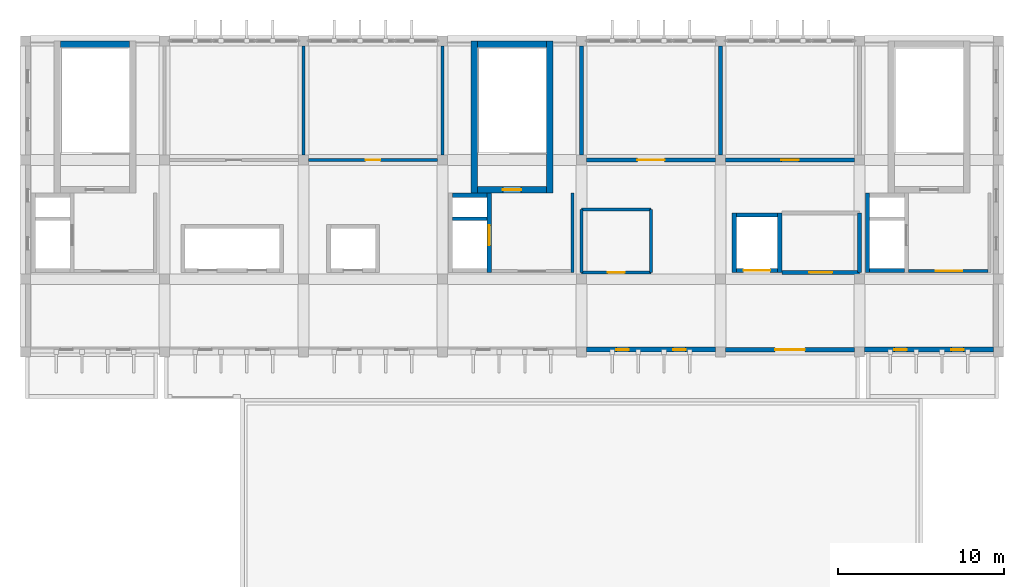
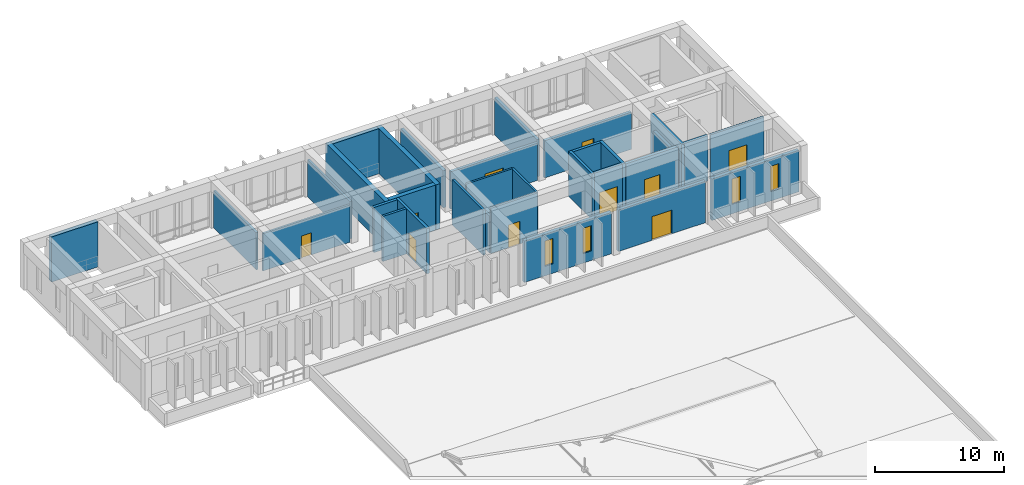
# One storey, part 13 of 16: 32 walls, 10 doors, 4 windows, 14 openings.
"""IFC4 building model written with IfcOpenShell, lengths in metres."""

from ifc_helpers import new_model, si_unit, direction, frame, frame_2d, origin, place, context, subcontext, project, spatial, rectangle, extrude, material, layer, layer_set, type_object, element, fill, save


model = new_model("IFC4")

# Units and contexts
model_context = context("Model", 3, precision=1e-05, world=origin(), true_north=direction((0.0, 1.0)))
body_context = subcontext(model_context, "Body", "Model", "MODEL_VIEW")
ifc_project = project(units=[si_unit("LENGTHUNIT", "METRE"), si_unit("AREAUNIT", "SQUARE_METRE"), si_unit("VOLUMEUNIT", "CUBIC_METRE"), si_unit("PLANEANGLEUNIT", "RADIAN"), si_unit("MASSUNIT", "GRAM", prefix="KILO")], contexts=[model_context])

# Site, building, storey
site_placement = place(None, origin())
site = spatial("IfcSite", under=ifc_project, at=site_placement, CompositionType="ELEMENT")
building_placement = place(site_placement, origin())
building = spatial("IfcBuilding", under=site, at=building_placement, Name="Kenerak Square Central Library", CompositionType="ELEMENT")
storey_placement = place(building_placement, frame((0.0, 0.0, 27.840087890625)))
storey = spatial("IfcBuildingStorey", under=building, at=storey_placement, Name="L06", CompositionType="ELEMENT", Elevation=27.840087890625)

# Wall, opening, door
ifc_material_1 = material(Name="Concrete C40/50", Category="concrete")
ifc_layer_1 = layer(ifc_material_1, 0.25)
ifc_layer_set_1 = layer_set([ifc_layer_1], Name="Concrete C40/50")
wall_type_1 = type_object("IfcWallType", Name="Archive Compartment Wall IW-250 C40/50", PredefinedType="SOLIDWALL", material=ifc_layer_set_1)
wall_1_placement = place(storey_placement, frame((100.10009765625, 103.199951171875, 0.0), z_axis=(0.0, 0.0, 1.0), x_axis=(-1.0, 0.0, 0.0)))
wall_1 = element("IfcWall", 1, at=wall_1_placement, inside=storey, type_object=wall_type_1, Name="Interior Wall IW-L06-02-S1-B1", PredefinedType="SOLIDWALL", context=body_context, shape_type="SweptSolid", body=[
    extrude(rectangle(XDim=7.800048828125, YDim=0.25, at=frame_2d((3.89990234375, 0.0))), origin(), (0.0, 0.0, 1.0), 3.530029296875),
])
opening_1_placement = place(wall_1_placement, frame((3.074951171875, 0.0, 0.0)))
opening_1 = element("IfcOpeningElement", 2, at=opening_1_placement, cuts=wall_1, Name="Opening ID-08", PredefinedType="OPENING", context=body_context, shape_type="SweptSolid", body=[
    extrude(rectangle(XDim=1.64990234375, YDim=2.25, at=frame_2d((0.824951171875, 1.125))), frame((0.0, 0.135009765625, 0.0), z_axis=(0.0, -1.0, 0.0), x_axis=(1.0, 0.0, 0.0)), (0.0, 0.0, 1.0), 0.27001953125),
])
ifc_material_2 = material(Name="Steel S355", Category="steel")
door_type_1 = type_object("IfcDoorType", Name="Vault Fire Compartment Double Door ID-1650x2250 FD120S", OperationType="NOTDEFINED", PredefinedType="DOOR", material=ifc_material_2)
door_1_placement = place(opening_1_placement, origin())
door_1 = element("IfcDoor", 3, at=door_1_placement, inside=storey, type_object=door_type_1, Name="Royal Manuscripts and Rare Prints Examination Archive Door", OperationType="DOUBLE_DOOR_SINGLE_SWING", OverallHeight=2.25, OverallWidth=1.64990234375, PredefinedType="DOOR", context=body_context, shape_type="SweptSolid", body=[
    extrude(rectangle(XDim=1.64990234375, YDim=2.25, at=frame_2d((0.824951171875, 1.125))), frame((0.0, 0.02490234375, 0.0), z_axis=(0.0, -1.0, 0.0), x_axis=(1.0, 0.0, 0.0)), (0.0, 0.0, 1.0), 0.050048828125),
])
fill(opening_1, door_1)

wall_2_placement = place(storey_placement, frame((108.5, 103.199951171875, 0.0), z_axis=(0.0, 0.0, 1.0), x_axis=(-1.0, 0.0, 0.0)))
wall_2 = element("IfcWall", 4, at=wall_2_placement, inside=storey, type_object=wall_type_1, Name="Interior Wall IW-L06-03-S1-B1", PredefinedType="SOLIDWALL", context=body_context, shape_type="SweptSolid", body=[
    extrude(rectangle(XDim=7.800048828125, YDim=0.25, at=frame_2d((3.89990234375, 0.0))), origin(), (0.0, 0.0, 1.0), 3.530029296875),
])
opening_2_placement = place(wall_2_placement, frame((3.375, 0.0, 0.0)))
opening_2 = element("IfcOpeningElement", 5, at=opening_2_placement, cuts=wall_2, Name="Opening ID-04", PredefinedType="OPENING", context=body_context, shape_type="SweptSolid", body=[
    extrude(rectangle(XDim=1.050048828125, YDim=2.199951171875, at=frame_2d((0.52490234375, 1.10009765625))), frame((0.0, 0.135009765625, 0.0), z_axis=(0.0, -1.0, 0.0), x_axis=(1.0, 0.0, 0.0)), (0.0, 0.0, 1.0), 0.27001953125),
])
door_type_2 = type_object("IfcDoorType", Name="Conservation Lab Door ID-1050x2200 FD60S", OperationType="NOTDEFINED", PredefinedType="DOOR", material=ifc_material_2)
door_2_placement = place(opening_2_placement, origin())
door_2 = element("IfcDoor", 6, at=door_2_placement, inside=storey, type_object=door_type_2, Name="Bookbinding and Archival Restoration Laboratory Door", OperationType="SINGLE_SWING_LEFT", OverallHeight=2.199951171875, OverallWidth=1.050048828125, PredefinedType="DOOR", context=body_context, shape_type="SweptSolid", body=[
    extrude(rectangle(XDim=1.050048828125, YDim=2.199951171875, at=frame_2d((0.52490234375, 1.10009765625))), frame((0.0, 0.02490234375, 0.0), z_axis=(0.0, -1.0, 0.0), x_axis=(1.0, 0.0, 0.0)), (0.0, 0.0, 1.0), 0.050048828125),
])
fill(opening_2, door_2)

wall_3_placement = place(storey_placement, frame((108.800048828125, 96.39990234375, 0.0), z_axis=(0.0, 0.0, 1.0), x_axis=(-1.0, 0.0, 0.0)))
wall_3 = element("IfcWall", 7, at=wall_3_placement, inside=storey, type_object=wall_type_1, Name="Interior Wall IW-L06-05-S1-B1", PredefinedType="SOLIDWALL", context=body_context, shape_type="SweptSolid", body=[
    extrude(rectangle(XDim=4.699951171875, YDim=0.25, at=frame_2d((2.35009765625, 0.0))), origin(), (0.0, 0.0, 1.0), 4.280029296875),
])
opening_3_placement = place(wall_3_placement, frame((1.64990234375, 0.0, 0.0)))
opening_3 = element("IfcOpeningElement", 8, at=opening_3_placement, cuts=wall_3, Name="Opening ID-07", PredefinedType="OPENING", context=body_context, shape_type="SweptSolid", body=[
    extrude(rectangle(XDim=1.39990234375, YDim=2.199951171875, at=frame_2d((0.699951171875, 1.10009765625))), frame((0.0, 0.135009765625, 0.0), z_axis=(0.0, -1.0, 0.0), x_axis=(1.0, 0.0, 0.0)), (0.0, 0.0, 1.0), 0.27001953125),
])
door_type_3 = type_object("IfcDoorType", Name="Plant and Store Unequal Pair Door ID-1400x2200 FD60S", OperationType="NOTDEFINED", PredefinedType="DOOR", material=ifc_material_2)
door_3_placement = place(opening_3_placement, origin())
door_3 = element("IfcDoor", 9, at=door_3_placement, inside=storey, type_object=door_type_3, Name="Dehumidification AHU Mechanical Plant Room L06 Door", OperationType="SINGLE_SWING_LEFT", OverallHeight=2.199951171875, OverallWidth=1.39990234375, PredefinedType="DOOR", context=body_context, shape_type="SweptSolid", body=[
    extrude(rectangle(XDim=1.39990234375, YDim=2.199951171875, at=frame_2d((0.699951171875, 1.10009765625))), frame((0.0, 0.02490234375, 0.0), z_axis=(0.0, -1.0, 0.0), x_axis=(1.0, 0.0, 0.0)), (0.0, 0.0, 1.0), 0.050048828125),
])
fill(opening_3, door_3)

# Walls
for number, where, z_axis, x_axis, name in (
    (10, (92.0, 103.5, 0.0), (0.0, 0.0, 1.0), (0.0, 1.0, 0.0), "Interior Wall IW-L06-02-W3-B1"),
    (11, (100.39990234375, 110.10009765625, 0.0), (0.0, 0.0, 1.0), (0.0, -1.0, 0.0), "Interior Wall IW-L06-02-E4-B1"),
):
    element("IfcWall", number, at=place(storey_placement, frame(where, z_axis=z_axis, x_axis=x_axis)), inside=storey, type_object=wall_type_1, Name=name, PredefinedType="SOLIDWALL", context=body_context, shape_type="SweptSolid", body=[
        extrude(rectangle(XDim=6.60009765625, YDim=0.25, at=frame_2d((3.300048828125, 0.0))), origin(), (0.0, 0.0, 1.0), 3.530029296875),
    ])
wall_4_placement = place(storey_placement, frame((108.800048828125, 100.0, 0.0), z_axis=(0.0, 0.0, 1.0), x_axis=(0.0, -1.0, 0.0)))
element("IfcWall", 12, at=wall_4_placement, inside=storey, type_object=wall_type_1, Name="Interior Wall IW-L06-05-E4-B1", PredefinedType="SOLIDWALL", context=body_context, shape_type="SweptSolid", body=[
    extrude(rectangle(XDim=3.60009765625, YDim=0.25, at=frame_2d((1.800048828125, 0.0))), origin(), (0.0, 0.0, 1.0), 3.530029296875),
])

# Wall, openings, windows
ifc_layer_2 = layer(ifc_material_1, 0.300048828125)
ifc_layer_set_2 = layer_set([ifc_layer_2], Name="Concrete C40/50")
wall_type_2 = type_object("IfcWallType", Name="Board-Marked Brutalist Facade Wall EW-300 C40/50", PredefinedType="SOLIDWALL", material=ifc_layer_set_2)
wall_5_placement = place(storey_placement, frame((116.89990234375, 91.75, 0.0), z_axis=(0.0, 0.0, 1.0), x_axis=(-1.0, 0.0, 0.0)))
wall_5 = element("IfcWall", 13, at=wall_5_placement, inside=storey, type_object=wall_type_2, Name="Exterior Facade Wall L06 0258", PredefinedType="SOLIDWALL", context=body_context, shape_type="SweptSolid", body=[
    extrude(rectangle(XDim=7.7998046875, YDim=0.300048828125, at=frame_2d((3.89990234375, 0.0))), origin(), (0.0, 0.0, 1.0), 3.929931640625),
])
opening_4_placement = place(wall_5_placement, frame((1.80908203125, 0.0, 0.89990234375)))
opening_4 = element("IfcOpeningElement", 14, at=opening_4_placement, cuts=wall_5, Name="Opening W-02", PredefinedType="OPENING", context=body_context, shape_type="SweptSolid", body=[
    extrude(rectangle(XDim=0.75, YDim=2.39990234375, at=frame_2d((0.375, 1.199951171875))), frame((0.0, 0.159912109375, 0.0), z_axis=(0.0, -1.0, 0.0), x_axis=(1.0, 0.0, 0.0)), (0.0, 0.0, 1.0), 0.320068359375),
])
opening_5_placement = place(wall_5_placement, frame((5.240966796875, 0.0, 0.89990234375)))
opening_5 = element("IfcOpeningElement", 15, at=opening_5_placement, cuts=wall_5, Name="Opening W-02", PredefinedType="OPENING", context=body_context, shape_type="SweptSolid", body=[
    extrude(rectangle(XDim=0.75, YDim=2.39990234375, at=frame_2d((0.375, 1.199951171875))), frame((0.0, 0.159912109375, 0.0), z_axis=(0.0, -1.0, 0.0), x_axis=(1.0, 0.0, 0.0)), (0.0, 0.0, 1.0), 0.320068359375),
])
ifc_material_3 = material(Name="Solar-control low-E laminated double glazing", Category="glass")
window_type = type_object("IfcWindowType", Name="Archive Narrow Slot Window W-02 750x2400", PartitioningType="SINGLE_PANEL", PredefinedType="WINDOW", material=ifc_material_3)
window_1_placement = place(opening_4_placement, origin())
window_1 = element("IfcWindow", 16, at=window_1_placement, inside=storey, type_object=window_type, Name="Window W-02 L06 0290", OverallHeight=2.39990234375, OverallWidth=0.75, PartitioningType="SINGLE_PANEL", PredefinedType="WINDOW", context=body_context, shape_type="SweptSolid", body=[
    extrude(rectangle(XDim=0.75, YDim=2.39990234375, at=frame_2d((0.375, 1.199951171875))), frame((0.0, 0.030029296875, 0.0), z_axis=(0.0, -1.0, 0.0), x_axis=(1.0, 0.0, 0.0)), (0.0, 0.0, 1.0), 0.06005859375),
])
fill(opening_4, window_1)
window_2_placement = place(opening_5_placement, origin())
window_2 = element("IfcWindow", 17, at=window_2_placement, inside=storey, type_object=window_type, Name="Window W-02 L06 0291", OverallHeight=2.39990234375, OverallWidth=0.75, PartitioningType="SINGLE_PANEL", PredefinedType="WINDOW", context=body_context, shape_type="SweptSolid", body=[
    extrude(rectangle(XDim=0.75, YDim=2.39990234375, at=frame_2d((0.375, 1.199951171875))), frame((0.0, 0.030029296875, 0.0), z_axis=(0.0, -1.0, 0.0), x_axis=(1.0, 0.0, 0.0)), (0.0, 0.0, 1.0), 0.06005859375),
])
fill(opening_5, window_2)

wall_6_placement = place(storey_placement, frame((100.10009765625, 91.75, 0.0), z_axis=(0.0, 0.0, 1.0), x_axis=(-1.0, 0.0, 0.0)))
wall_6 = element("IfcWall", 18, at=wall_6_placement, inside=storey, type_object=wall_type_2, Name="Exterior Facade Wall L06 0260", PredefinedType="SOLIDWALL", context=body_context, shape_type="SweptSolid", body=[
    extrude(rectangle(XDim=7.800048828125, YDim=0.300048828125, at=frame_2d((3.89990234375, 0.0))), origin(), (0.0, 0.0, 1.0), 3.929931640625),
])
opening_6_placement = place(wall_6_placement, frame((1.80908203125, 0.0, 0.89990234375)))
opening_6 = element("IfcOpeningElement", 19, at=opening_6_placement, cuts=wall_6, Name="Opening W-02", PredefinedType="OPENING", context=body_context, shape_type="SweptSolid", body=[
    extrude(rectangle(XDim=0.75, YDim=2.39990234375, at=frame_2d((0.375, 1.199951171875))), frame((0.0, 0.159912109375, 0.0), z_axis=(0.0, -1.0, 0.0), x_axis=(1.0, 0.0, 0.0)), (0.0, 0.0, 1.0), 0.320068359375),
])
opening_7_placement = place(wall_6_placement, frame((5.240966796875, 0.0, 0.89990234375)))
opening_7 = element("IfcOpeningElement", 20, at=opening_7_placement, cuts=wall_6, Name="Opening W-02", PredefinedType="OPENING", context=body_context, shape_type="SweptSolid", body=[
    extrude(rectangle(XDim=0.75, YDim=2.39990234375, at=frame_2d((0.375, 1.199951171875))), frame((0.0, 0.159912109375, 0.0), z_axis=(0.0, -1.0, 0.0), x_axis=(1.0, 0.0, 0.0)), (0.0, 0.0, 1.0), 0.320068359375),
])
window_3_placement = place(opening_6_placement, origin())
window_3 = element("IfcWindow", 21, at=window_3_placement, inside=storey, type_object=window_type, Name="Window W-02 L06 0292", OverallHeight=2.39990234375, OverallWidth=0.75, PartitioningType="SINGLE_PANEL", PredefinedType="WINDOW", context=body_context, shape_type="SweptSolid", body=[
    extrude(rectangle(XDim=0.75, YDim=2.39990234375, at=frame_2d((0.375, 1.199951171875))), frame((0.0, 0.030029296875, 0.0), z_axis=(0.0, -1.0, 0.0), x_axis=(1.0, 0.0, 0.0)), (0.0, 0.0, 1.0), 0.06005859375),
])
fill(opening_6, window_3)
window_4_placement = place(opening_7_placement, origin())
window_4 = element("IfcWindow", 22, at=window_4_placement, inside=storey, type_object=window_type, Name="Window W-02 L06 0293", OverallHeight=2.39990234375, OverallWidth=0.75, PartitioningType="SINGLE_PANEL", PredefinedType="WINDOW", context=body_context, shape_type="SweptSolid", body=[
    extrude(rectangle(XDim=0.75, YDim=2.39990234375, at=frame_2d((0.375, 1.199951171875))), frame((0.0, 0.030029296875, 0.0), z_axis=(0.0, -1.0, 0.0), x_axis=(1.0, 0.0, 0.0)), (0.0, 0.0, 1.0), 0.06005859375),
])
fill(opening_7, window_4)

# Walls
ifc_layer_3 = layer(ifc_material_1, 0.39990234375)
ifc_layer_set_3 = layer_set([ifc_layer_3], Name="Concrete C40/50")
wall_type_3 = type_object("IfcWallType", Name="Core Shear Wall CW-400 C40/50", PredefinedType="SHEAR", material=ifc_layer_set_3)
wall_7_placement = place(storey_placement, frame((60.52001953125, 110.199951171875, 0.0), z_axis=(0.0, 0.0, 1.0), x_axis=(1.0, 0.0, 0.0)))
element("IfcWall", 23, at=wall_7_placement, inside=storey, type_object=wall_type_3, Name="Core Wall CW-C1 L06 North", PredefinedType="SHEAR", context=body_context, shape_type="SweptSolid", body=[
    extrude(rectangle(XDim=4.159912109375, YDim=0.39990234375, at=frame_2d((2.080078125, 0.0))), origin(), (0.0, 0.0, 1.0), 4.280029296875),
])
for number, where, z_axis, x_axis, name in (
    (24, (85.52001953125, 101.199951171875, 0.0), (0.0, 0.0, 1.0), (0.0, 1.0, 0.0), "Core Wall CW-C2 L06 West"),
    (25, (90.080078125, 110.39990234375, 0.0), (0.0, 0.0, 1.0), (0.0, -1.0, 0.0), "Core Wall CW-C2 L06 East"),
):
    element("IfcWall", number, at=place(storey_placement, frame(where, z_axis=z_axis, x_axis=x_axis)), inside=storey, type_object=wall_type_3, Name=name, PredefinedType="SHEAR", context=body_context, shape_type="SweptSolid", body=[
        extrude(rectangle(XDim=9.199951171875, YDim=0.39990234375, at=frame_2d((4.60009765625, 0.0))), origin(), (0.0, 0.0, 1.0), 4.280029296875),
    ])

# Wall, opening, door
wall_8_placement = place(storey_placement, frame((89.8798828125, 101.39990234375, 0.0), z_axis=(0.0, 0.0, 1.0), x_axis=(-1.0, 0.0, 0.0)))
wall_8 = element("IfcWall", 26, at=wall_8_placement, inside=storey, type_object=wall_type_3, Name="Core Wall CW-C2 L06 South", PredefinedType="SHEAR", context=body_context, shape_type="SweptSolid", body=[
    extrude(rectangle(XDim=4.159912109375, YDim=0.39990234375, at=frame_2d((2.080078125, 0.0))), origin(), (0.0, 0.0, 1.0), 4.280029296875),
])
opening_8_placement = place(wall_8_placement, frame((1.530029296875, 0.0, 0.0)))
opening_8 = element("IfcOpeningElement", 27, at=opening_8_placement, cuts=wall_8, Name="Opening D-ST1", PredefinedType="OPENING", context=body_context, shape_type="SweptSolid", body=[
    extrude(rectangle(XDim=1.10009765625, YDim=2.199951171875, at=frame_2d((0.550048828125, 1.10009765625))), frame((0.0, 0.2099609375, 0.0), z_axis=(0.0, -1.0, 0.0), x_axis=(1.0, 0.0, 0.0)), (0.0, 0.0, 1.0), 0.419921875),
])
door_type_4 = type_object("IfcDoorType", Name="Protected Stair Fire Door FD-1100x2200 FD60S", OperationType="NOTDEFINED", PredefinedType="DOOR", material=ifc_material_2)
door_4_placement = place(opening_8_placement, frame((1.10009765625, 0.0, 0.0), z_axis=(0.0, 0.0, 1.0), x_axis=(-1.0, 0.0, 0.0)))
door_4 = element("IfcDoor", 28, at=door_4_placement, inside=storey, type_object=door_type_4, Name="Stair Door ST-02 L06", OperationType="SINGLE_SWING_RIGHT", OverallHeight=2.199951171875, OverallWidth=1.10009765625, PredefinedType="DOOR", context=body_context, shape_type="SweptSolid", body=[
    extrude(rectangle(XDim=1.10009765625, YDim=2.199951171875, at=frame_2d((0.550048828125, 1.10009765625))), frame((0.0, 0.02490234375, 0.0), z_axis=(0.0, -1.0, 0.0), x_axis=(1.0, 0.0, 0.0)), (0.0, 0.0, 1.0), 0.050048828125),
])
fill(opening_8, door_4)

# Wall
wall_9_placement = place(storey_placement, frame((85.719970703125, 110.199951171875, 0.0), z_axis=(0.0, 0.0, 1.0), x_axis=(1.0, 0.0, 0.0)))
element("IfcWall", 29, at=wall_9_placement, inside=storey, type_object=wall_type_3, Name="Core Wall CW-C2 L06 North", PredefinedType="SHEAR", context=body_context, shape_type="SweptSolid", body=[
    extrude(rectangle(XDim=4.159912109375, YDim=0.39990234375, at=frame_2d((2.080078125, 0.0))), origin(), (0.0, 0.0, 1.0), 4.280029296875),
])

# Wall, opening, door
ifc_material_4 = material(Name="Precast concrete C40/50", Category="concrete")
ifc_layer_4 = layer(ifc_material_4, 0.27490234375)
ifc_layer_set_4 = layer_set([ifc_layer_4], Name="Precast concrete C40/50")
wall_type_4 = type_object("IfcWallType", Name="Insulated Precast Spandrel Wall SPW-275 C40/50", PredefinedType="SOLIDWALL", material=ifc_layer_set_4)
wall_10_placement = place(storey_placement, frame((108.5, 91.737548828125, 0.0), z_axis=(0.0, 0.0, 1.0), x_axis=(-1.0, 0.0, 0.0)))
wall_10 = element("IfcWall", 30, at=wall_10_placement, inside=storey, type_object=wall_type_4, Name="Exterior Facade Wall L06 0259", PredefinedType="SOLIDWALL", context=body_context, shape_type="SweptSolid", body=[
    extrude(rectangle(XDim=7.800048828125, YDim=0.27490234375, at=frame_2d((3.89990234375, 0.0))), origin(), (0.0, 0.0, 1.0), 3.929931640625),
])
opening_9_placement = place(wall_10_placement, frame((3.0, 0.0, 0.0)))
opening_9 = element("IfcOpeningElement", 31, at=opening_9_placement, cuts=wall_10, Name="Opening TD-01", PredefinedType="OPENING", context=body_context, shape_type="SweptSolid", body=[
    extrude(rectangle(XDim=1.800048828125, YDim=2.25, at=frame_2d((0.89990234375, 1.125))), frame((0.0, 0.1474609375, 0.0), z_axis=(0.0, -1.0, 0.0), x_axis=(1.0, 0.0, 0.0)), (0.0, 0.0, 1.0), 0.294921875),
])
ifc_material_5 = material(Name="Anodised aluminium and laminated glass", Category="aluminium")
door_type_5 = type_object("IfcDoorType", Name="Planted Reading Terrace Double Door TD-1800x2250", OperationType="NOTDEFINED", PredefinedType="DOOR", material=ifc_material_5)
door_5_placement = place(opening_9_placement, origin())
door_5 = element("IfcDoor", 32, at=door_5_placement, inside=storey, type_object=door_type_5, Name="Scholars South Reading Terrace L06 Access Door", OperationType="DOUBLE_DOOR_SINGLE_SWING", OverallHeight=2.25, OverallWidth=1.800048828125, PredefinedType="DOOR", context=body_context, shape_type="SweptSolid", body=[
    extrude(rectangle(XDim=1.800048828125, YDim=2.25, at=frame_2d((0.89990234375, 1.125))), frame((0.0, 0.02490234375, 0.0), z_axis=(0.0, -1.0, 0.0), x_axis=(1.0, 0.0, 0.0)), (0.0, 0.0, 1.0), 0.050048828125),
])
fill(opening_9, door_5)

# Walls
ifc_layer_5 = layer(ifc_material_1, 0.199951171875)
ifc_layer_set_5 = layer_set([ifc_layer_5], Name="Concrete C40/50")
wall_type_5 = type_object("IfcWallType", Name="Lobby Compartment Wall LW-200 C40/50", PredefinedType="SOLIDWALL", material=ifc_layer_set_5)
wall_11_placement = place(storey_placement, frame((84.199951171875, 99.64990234375, 0.0), z_axis=(0.0, 0.0, 1.0), x_axis=(1.0, 0.0, 0.0)))
element("IfcWall", 33, at=wall_11_placement, inside=storey, type_object=wall_type_5, Name="Riser Divider Wall C2 L06", PredefinedType="SOLIDWALL", context=body_context, shape_type="SweptSolid", body=[
    extrude(rectangle(XDim=2.10009765625, YDim=0.199951171875, at=frame_2d((1.050048828125, 0.0))), origin(), (0.0, 0.0, 1.0), 4.280029296875),
])
wall_12_placement = place(storey_placement, frame((91.449951171875, 101.199951171875, 0.0), z_axis=(0.0, 0.0, 1.0), x_axis=(0.0, -1.0, 0.0)))
element("IfcWall", 34, at=wall_12_placement, inside=storey, type_object=wall_type_5, Name="Firefighting Lobby East Wall C2 L06", PredefinedType="SOLIDWALL", context=body_context, shape_type="SweptSolid", body=[
    extrude(rectangle(XDim=4.800048828125, YDim=0.199951171875, at=frame_2d((2.39990234375, 0.0))), origin(), (0.0, 0.0, 1.0), 4.280029296875),
])

# Wall, opening, door
wall_13_placement = place(storey_placement, frame((116.550048828125, 96.5, 0.0), z_axis=(0.0, 0.0, 1.0), x_axis=(-1.0, 0.0, 0.0)))
wall_13 = element("IfcWall", 35, at=wall_13_placement, inside=storey, type_object=wall_type_5, Name="Firefighting Lobby South Wall C3 L06", PredefinedType="SOLIDWALL", context=body_context, shape_type="SweptSolid", body=[
    extrude(rectangle(XDim=4.800048828125, YDim=0.199951171875, at=frame_2d((2.39990234375, 0.0))), origin(), (0.0, 0.0, 1.0), 4.280029296875),
])
opening_10_placement = place(wall_13_placement, frame((1.550048828125, 0.0, 0.0)))
opening_10 = element("IfcOpeningElement", 36, at=opening_10_placement, cuts=wall_13, Name="Opening D-FFL", PredefinedType="OPENING", context=body_context, shape_type="SweptSolid", body=[
    extrude(rectangle(XDim=1.60009765625, YDim=2.199951171875, at=frame_2d((0.800048828125, 1.10009765625))), frame((0.0, 0.10986328125, 0.0), z_axis=(0.0, -1.0, 0.0), x_axis=(1.0, 0.0, 0.0)), (0.0, 0.0, 1.0), 0.219970703125),
])
door_type_6 = type_object("IfcDoorType", Name="Firefighting Lobby Double Door FD-1600x2200 FD60S", OperationType="NOTDEFINED", PredefinedType="DOOR", material=ifc_material_2)
door_6_placement = place(opening_10_placement, frame((1.60009765625, 0.0, 0.0), z_axis=(0.0, 0.0, 1.0), x_axis=(-1.0, 0.0, 0.0)))
door_6 = element("IfcDoor", 37, at=door_6_placement, inside=storey, type_object=door_type_6, Name="Firefighting Lobby Door C3 L06", OperationType="DOUBLE_DOOR_SINGLE_SWING", OverallHeight=2.199951171875, OverallWidth=1.60009765625, PredefinedType="DOOR", context=body_context, shape_type="SweptSolid", body=[
    extrude(rectangle(XDim=1.60009765625, YDim=2.199951171875, at=frame_2d((0.800048828125, 1.10009765625))), frame((0.0, 0.02490234375, 0.0), z_axis=(0.0, -1.0, 0.0), x_axis=(1.0, 0.0, 0.0)), (0.0, 0.0, 1.0), 0.050048828125),
])
fill(opening_10, door_6)

ifc_layer_6 = layer(ifc_material_4, 0.175048828125)
ifc_layer_set_6 = layer_set([ifc_layer_6], Name="Precast concrete C40/50")
wall_type_6 = type_object("IfcWallType", Name="Sanitary Plumbing Chase Wall IW-175 C40/50", PredefinedType="PLUMBINGWALL", material=ifc_layer_set_6)
wall_14_placement = place(storey_placement, frame((83.300048828125, 103.199951171875, 0.0), z_axis=(0.0, 0.0, 1.0), x_axis=(-1.0, 0.0, 0.0)))
wall_14 = element("IfcWall", 38, at=wall_14_placement, inside=storey, type_object=wall_type_6, Name="Interior Wall IW-L06-07-S1-B1", PredefinedType="PLUMBINGWALL", context=body_context, shape_type="SweptSolid", body=[
    extrude(rectangle(XDim=7.800048828125, YDim=0.175048828125, at=frame_2d((3.89990234375, 0.0))), origin(), (0.0, 0.0, 1.0), 3.530029296875),
])
opening_11_placement = place(wall_14_placement, frame((3.449951171875, 0.0, 0.0)))
opening_11 = element("IfcOpeningElement", 39, at=opening_11_placement, cuts=wall_14, Name="Opening ID-01", PredefinedType="OPENING", context=body_context, shape_type="SweptSolid", body=[
    extrude(rectangle(XDim=0.89990234375, YDim=2.10009765625, at=frame_2d((0.449951171875, 1.050048828125))), frame((0.0, 0.097412109375, 0.0), z_axis=(0.0, -1.0, 0.0), x_axis=(1.0, 0.0, 0.0)), (0.0, 0.0, 1.0), 0.195068359375),
])
ifc_material_6 = material(Name="Chengal hardwood timber SG1", Category="wood")
door_type_7 = type_object("IfcDoorType", Name="Restroom Single Door ID-900x2100", OperationType="NOTDEFINED", PredefinedType="DOOR", material=ifc_material_6)
door_7_placement = place(opening_11_placement, origin())
door_7 = element("IfcDoor", 40, at=door_7_placement, inside=storey, type_object=door_type_7, Name="Level 06 Female Restroom Door", OperationType="SINGLE_SWING_RIGHT", OverallHeight=2.10009765625, OverallWidth=0.89990234375, PredefinedType="DOOR", context=body_context, shape_type="SweptSolid", body=[
    extrude(rectangle(XDim=0.89990234375, YDim=2.10009765625, at=frame_2d((0.449951171875, 1.050048828125))), frame((0.0, 0.02490234375, 0.0), z_axis=(0.0, -1.0, 0.0), x_axis=(1.0, 0.0, 0.0)), (0.0, 0.0, 1.0), 0.050048828125),
])
fill(opening_11, door_7)

wall_15_placement = place(storey_placement, frame((96.199951171875, 96.39990234375, 0.0), z_axis=(0.0, 0.0, 1.0), x_axis=(-1.0, 0.0, 0.0)))
wall_15 = element("IfcWall", 41, at=wall_15_placement, inside=storey, type_object=wall_type_6, Name="Interior Wall IW-L06-08-S1-B1", PredefinedType="PLUMBINGWALL", context=body_context, shape_type="SweptSolid", body=[
    extrude(rectangle(XDim=4.199951171875, YDim=0.175048828125, at=frame_2d((2.10009765625, 0.0))), origin(), (0.0, 0.0, 1.0), 4.280029296875),
])
opening_12_placement = place(wall_15_placement, frame((1.60009765625, 0.0, 0.0)))
opening_12 = element("IfcOpeningElement", 42, at=opening_12_placement, cuts=wall_15, Name="Opening ID-03", PredefinedType="OPENING", context=body_context, shape_type="SweptSolid", body=[
    extrude(rectangle(XDim=1.0, YDim=2.14990234375, at=frame_2d((0.5, 1.074951171875))), frame((0.0, 0.097412109375, 0.0), z_axis=(0.0, -1.0, 0.0), x_axis=(1.0, 0.0, 0.0)), (0.0, 0.0, 1.0), 0.195068359375),
])
door_type_8 = type_object("IfcDoorType", Name="Accessible OKU WC Door ID-1000x2150", OperationType="NOTDEFINED", PredefinedType="DOOR", material=ifc_material_6)
door_8_placement = place(opening_12_placement, origin())
door_8 = element("IfcDoor", 43, at=door_8_placement, inside=storey, type_object=door_type_8, Name="Level 06 Accessible WC Door", OperationType="SINGLE_SWING_LEFT", OverallHeight=2.14990234375, OverallWidth=1.0, PredefinedType="DOOR", context=body_context, shape_type="SweptSolid", body=[
    extrude(rectangle(XDim=1.0, YDim=2.14990234375, at=frame_2d((0.5, 1.074951171875))), frame((0.0, 0.02490234375, 0.0), z_axis=(0.0, -1.0, 0.0), x_axis=(1.0, 0.0, 0.0)), (0.0, 0.0, 1.0), 0.050048828125),
])
fill(opening_12, door_8)

# Walls
for number, where, z_axis, x_axis, name in (
    (44, (75.199951171875, 110.10009765625, 0.0), (0.0, 0.0, 1.0), (0.0, -1.0, 0.0), "Interior Wall IW-L06-06-E4-B1"),
    (45, (83.60009765625, 110.10009765625, 0.0), (0.0, 0.0, 1.0), (0.0, -1.0, 0.0), "Interior Wall IW-L06-07-E4-B1"),
):
    element("IfcWall", number, at=place(storey_placement, frame(where, z_axis=z_axis, x_axis=x_axis)), inside=storey, type_object=wall_type_6, Name=name, PredefinedType="PLUMBINGWALL", context=body_context, shape_type="SweptSolid", body=[
        extrude(rectangle(XDim=6.60009765625, YDim=0.175048828125, at=frame_2d((3.300048828125, 0.0))), origin(), (0.0, 0.0, 1.0), 3.530029296875),
    ])
wall_16_placement = place(storey_placement, frame((92.0, 100.199951171875, 0.0), z_axis=(0.0, 0.0, 1.0), x_axis=(1.0, 0.0, 0.0)))
element("IfcWall", 46, at=wall_16_placement, inside=storey, type_object=wall_type_6, Name="Interior Wall IW-L06-08-N2-B1", PredefinedType="PLUMBINGWALL", context=body_context, shape_type="SweptSolid", body=[
    extrude(rectangle(XDim=4.199951171875, YDim=0.175048828125, at=frame_2d((2.10009765625, 0.0))), origin(), (0.0, 0.0, 1.0), 4.280029296875),
])
wall_17_placement = place(storey_placement, frame((92.0, 96.39990234375, 0.0), z_axis=(0.0, 0.0, 1.0), x_axis=(0.0, 1.0, 0.0)))
element("IfcWall", 47, at=wall_17_placement, inside=storey, type_object=wall_type_6, Name="Interior Wall IW-L06-08-W3-B1", PredefinedType="PLUMBINGWALL", context=body_context, shape_type="SweptSolid", body=[
    extrude(rectangle(XDim=3.800048828125, YDim=0.175048828125, at=frame_2d((1.89990234375, 0.0))), origin(), (0.0, 0.0, 1.0), 3.530029296875),
])
wall_18_placement = place(storey_placement, frame((96.199951171875, 100.199951171875, 0.0), z_axis=(0.0, 0.0, 1.0), x_axis=(0.0, -1.0, 0.0)))
element("IfcWall", 48, at=wall_18_placement, inside=storey, type_object=wall_type_6, Name="Interior Wall IW-L06-08-E4-B1", PredefinedType="PLUMBINGWALL", context=body_context, shape_type="SweptSolid", body=[
    extrude(rectangle(XDim=3.800048828125, YDim=0.175048828125, at=frame_2d((1.89990234375, 0.0))), origin(), (0.0, 0.0, 1.0), 4.280029296875),
])

# Wall, opening, door
ifc_layer_7 = layer(ifc_material_1, 0.25)
ifc_layer_set_7 = layer_set([ifc_layer_7], Name="Concrete C40/50")
wall_type_7 = type_object("IfcWallType", Name="Shaft Enclosure Wall SW-250 C40/50", PredefinedType="SOLIDWALL", material=ifc_layer_set_7)
wall_19_placement = place(storey_placement, frame((86.425048828125, 101.199951171875, 0.0), z_axis=(0.0, 0.0, 1.0), x_axis=(0.0, -1.0, 0.0)))
wall_19 = element("IfcWall", 49, at=wall_19_placement, inside=storey, type_object=wall_type_7, Name="Core Wall FLW-C2 L06 East", PredefinedType="SOLIDWALL", context=body_context, shape_type="SweptSolid", body=[
    extrude(rectangle(XDim=4.800048828125, YDim=0.25, at=frame_2d((2.39990234375, 0.0))), origin(), (0.0, 0.0, 1.0), 4.280029296875),
])
opening_13_placement = place(wall_19_placement, frame((1.949951171875, 0.0, 0.0)))
opening_13 = element("IfcOpeningElement", 50, at=opening_13_placement, cuts=wall_19, Name="Opening LD-FL", PredefinedType="OPENING", context=body_context, shape_type="SweptSolid", body=[
    extrude(rectangle(XDim=1.199951171875, YDim=2.199951171875, at=frame_2d((0.60009765625, 1.10009765625))), frame((0.0, 0.135009765625, 0.0), z_axis=(0.0, -1.0, 0.0), x_axis=(1.0, 0.0, 0.0)), (0.0, 0.0, 1.0), 0.27001953125),
])
door_type_9 = type_object("IfcDoorType", Name="Firefighting Lift Sliding Landing Door LD-1200x2200 FD120S", OperationType="NOTDEFINED", PredefinedType="DOOR", material=ifc_material_2)
door_9_placement = place(opening_13_placement, origin())
door_9 = element("IfcDoor", 51, at=door_9_placement, inside=storey, type_object=door_type_9, Name="Firefighting Lift Landing Door FL-02 L06", OperationType="SLIDING_TO_LEFT", OverallHeight=2.199951171875, OverallWidth=1.199951171875, PredefinedType="DOOR", context=body_context, shape_type="SweptSolid", body=[
    extrude(rectangle(XDim=1.199951171875, YDim=2.199951171875, at=frame_2d((0.60009765625, 1.10009765625))), frame((0.0, 0.02490234375, 0.0), z_axis=(0.0, -1.0, 0.0), x_axis=(1.0, 0.0, 0.0)), (0.0, 0.0, 1.0), 0.050048828125),
])
fill(opening_13, door_9)

# Walls
wall_20_placement = place(storey_placement, frame((84.199951171875, 101.074951171875, 0.0), z_axis=(0.0, 0.0, 1.0), x_axis=(1.0, 0.0, 0.0)))
element("IfcWall", 52, at=wall_20_placement, inside=storey, type_object=wall_type_7, Name="Core Wall FLW-C2 L06 North", PredefinedType="SOLIDWALL", context=body_context, shape_type="SweptSolid", body=[
    extrude(rectangle(XDim=2.10009765625, YDim=0.25, at=frame_2d((1.050048828125, 0.0))), origin(), (0.0, 0.0, 1.0), 4.280029296875),
])
wall_21_placement = place(storey_placement, frame((109.27490234375, 96.39990234375, 0.0), z_axis=(0.0, 0.0, 1.0), x_axis=(0.0, 1.0, 0.0)))
element("IfcWall", 53, at=wall_21_placement, inside=storey, type_object=wall_type_7, Name="Core Wall FLW-C3 L06 West", PredefinedType="SOLIDWALL", context=body_context, shape_type="SweptSolid", body=[
    extrude(rectangle(XDim=4.800048828125, YDim=0.25, at=frame_2d((2.39990234375, 0.0))), origin(), (0.0, 0.0, 1.0), 4.280029296875),
])
wall_22_placement = place(storey_placement, frame((111.5, 96.52490234375, 0.0), z_axis=(0.0, 0.0, 1.0), x_axis=(-1.0, 0.0, 0.0)))
element("IfcWall", 54, at=wall_22_placement, inside=storey, type_object=wall_type_7, Name="Core Wall FLW-C3 L06 South", PredefinedType="SOLIDWALL", context=body_context, shape_type="SweptSolid", body=[
    extrude(rectangle(XDim=2.10009765625, YDim=0.25, at=frame_2d((1.050048828125, 0.0))), origin(), (0.0, 0.0, 1.0), 4.280029296875),
])
for number, where, z_axis, x_axis, name in (
    (55, (101.22509765625, 96.39990234375, 0.0), (0.0, 0.0, 1.0), (0.0, 1.0, 0.0), "Core Wall GLSHAFT L06 West"),
    (56, (103.97509765625, 100.0, 0.0), (0.0, 0.0, 1.0), (0.0, -1.0, 0.0), "Core Wall GLSHAFT L06 East"),
):
    element("IfcWall", number, at=place(storey_placement, frame(where, z_axis=z_axis, x_axis=x_axis)), inside=storey, type_object=wall_type_7, Name=name, PredefinedType="SOLIDWALL", context=body_context, shape_type="SweptSolid", body=[
        extrude(rectangle(XDim=3.60009765625, YDim=0.25, at=frame_2d((1.800048828125, 0.0))), origin(), (0.0, 0.0, 1.0), 4.280029296875),
    ])

# Wall, opening, door
wall_23_placement = place(storey_placement, frame((103.85009765625, 96.52490234375, 0.0), z_axis=(0.0, 0.0, 1.0), x_axis=(-1.0, 0.0, 0.0)))
wall_23 = element("IfcWall", 57, at=wall_23_placement, inside=storey, type_object=wall_type_7, Name="Core Wall GLSHAFT L06 South", PredefinedType="SOLIDWALL", context=body_context, shape_type="SweptSolid", body=[
    extrude(rectangle(XDim=2.5, YDim=0.25, at=frame_2d((1.25, 0.0))), origin(), (0.0, 0.0, 1.0), 4.280029296875),
])
opening_14_placement = place(wall_23_placement, frame((0.449951171875, 0.0, 0.0)))
opening_14 = element("IfcOpeningElement", 58, at=opening_14_placement, cuts=wall_23, Name="Opening LD-GL", PredefinedType="OPENING", context=body_context, shape_type="SweptSolid", body=[
    extrude(rectangle(XDim=1.60009765625, YDim=2.300048828125, at=frame_2d((0.800048828125, 1.14990234375))), frame((0.0, 0.135009765625, 0.0), z_axis=(0.0, -1.0, 0.0), x_axis=(1.0, 0.0, 0.0)), (0.0, 0.0, 1.0), 0.27001953125),
])
door_type_10 = type_object("IfcDoorType", Name="Goods Lift Sliding Landing Door LD-1600x2300 FD120S", OperationType="NOTDEFINED", PredefinedType="DOOR", material=ifc_material_2)
door_10_placement = place(opening_14_placement, origin())
door_10 = element("IfcDoor", 59, at=door_10_placement, inside=storey, type_object=door_type_10, Name="Goods Lift Landing Door GL-01 L06", OperationType="SLIDING_TO_LEFT", OverallHeight=2.300048828125, OverallWidth=1.60009765625, PredefinedType="DOOR", context=body_context, shape_type="SweptSolid", body=[
    extrude(rectangle(XDim=1.60009765625, YDim=2.300048828125, at=frame_2d((0.800048828125, 1.14990234375))), frame((0.0, 0.02490234375, 0.0), z_axis=(0.0, -1.0, 0.0), x_axis=(1.0, 0.0, 0.0)), (0.0, 0.0, 1.0), 0.050048828125),
])
fill(opening_14, door_10)

# Wall
wall_24_placement = place(storey_placement, frame((101.35009765625, 99.875, 0.0), z_axis=(0.0, 0.0, 1.0), x_axis=(1.0, 0.0, 0.0)))
element("IfcWall", 60, at=wall_24_placement, inside=storey, type_object=wall_type_7, Name="Core Wall GLSHAFT L06 North", PredefinedType="SOLIDWALL", context=body_context, shape_type="SweptSolid", body=[
    extrude(rectangle(XDim=2.5, YDim=0.25, at=frame_2d((1.25, 0.0))), origin(), (0.0, 0.0, 1.0), 4.280029296875),
])

save(model, "model.ifc")
